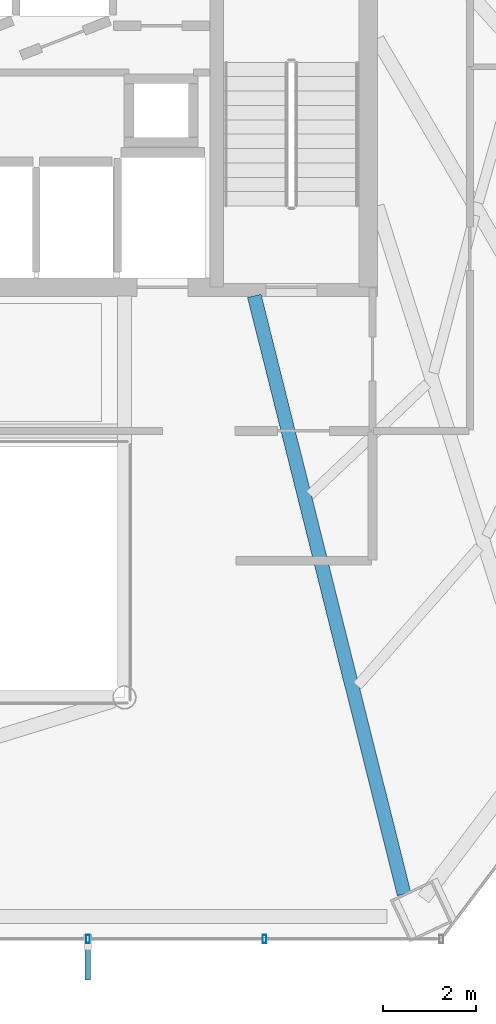
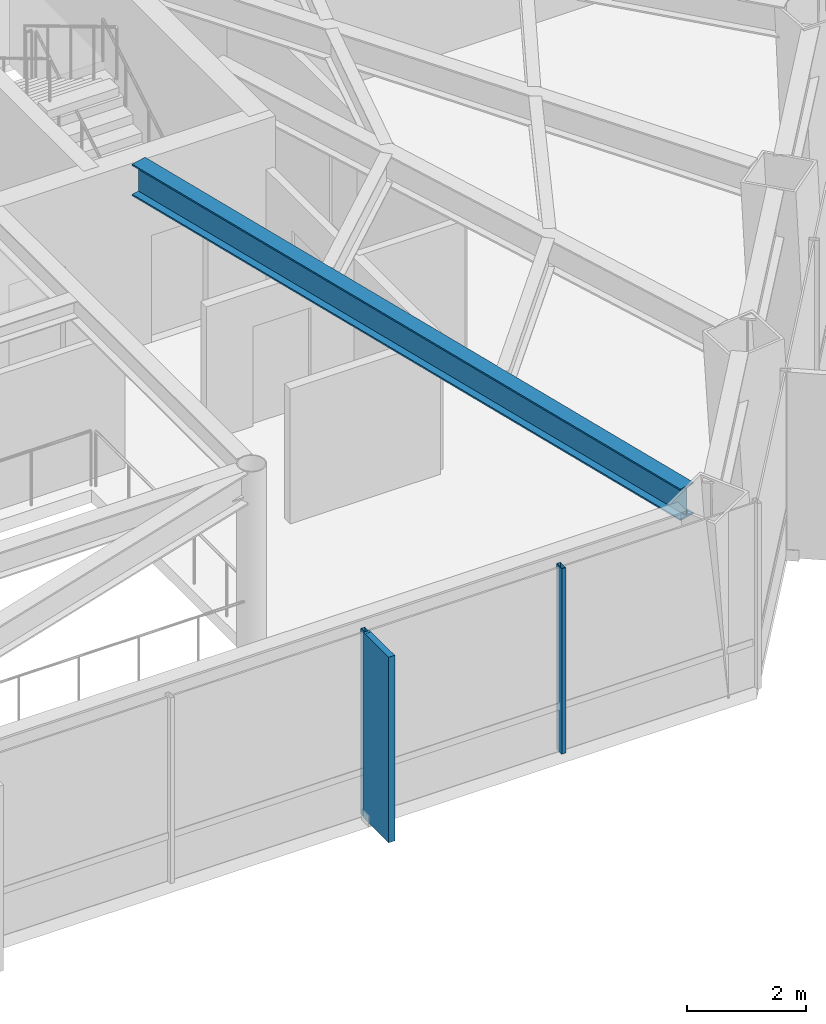
# One storey, part 9 of 26: 3 members, 1 beam, 1 element without a shape of its own.
"""IFC4 building model written with IfcOpenShell, lengths in metres."""

from ifc_helpers import new_model, si_unit, direction, frame, origin, origin_2d, place, context, subcontext, project, spatial, rectangle, hollow_rectangle, i_section, extrude, material, layer, layer_set, material_profile, profile_set, type_object, element, aggregate, save


model = new_model("IFC4")

# Units and contexts
model_context = context("Model", 3, precision=1e-05, world=origin(), true_north=direction((0.0, 1.0)))
body_context = subcontext(model_context, "Body", "Model", "MODEL_VIEW")
ifc_project = project(units=[si_unit("LENGTHUNIT", "METRE"), si_unit("AREAUNIT", "SQUARE_METRE"), si_unit("VOLUMEUNIT", "CUBIC_METRE"), si_unit("PLANEANGLEUNIT", "RADIAN"), si_unit("MASSUNIT", "GRAM", prefix="KILO")], contexts=[model_context])

# Site, building, storey
site_placement = place(None, origin())
site = spatial("IfcSite", under=ifc_project, at=site_placement, CompositionType="ELEMENT")
building_placement = place(site_placement, origin())
building = spatial("IfcBuilding", under=site, at=building_placement, Name="Zarrinselat Tower", CompositionType="ELEMENT")
storey_placement = place(building_placement, frame((0.0, 0.0, 35.699951171875)))
storey = spatial("IfcBuildingStorey", under=building, at=storey_placement, Name="L08", CompositionType="ELEMENT", Elevation=35.699951171875)

# Beam
ifc_material_1 = material(Name="Steel S355J2", Category="steel")
ifc_material_profile_1 = material_profile(ifc_material_1, i_section(OverallWidth=0.300048828125, OverallDepth=0.64990234375, WebThickness=0.01611328125, FlangeThickness=0.031005859375, at=origin_2d()), Name="HEB 650")
ifc_profile_set_1 = profile_set([ifc_material_profile_1], Name="Steel S355J2")
beam_type = type_object("IfcBeamType", Name="BM-HEB650", PredefinedType="BEAM", material=ifc_profile_set_1)
beam_placement = place(storey_placement, frame((45.800048828125, 33.06005859375, 3.4951171875), z_axis=(0.242868228579, -0.970059288676, 0.0), x_axis=(0.970059288676, 0.242868228579, 0.0)))
element("IfcBeam", 1, at=beam_placement, inside=storey, type_object=beam_type, Name="L08 Radial Primary Girder RG11", PredefinedType="BEAM", context=body_context, shape_type="SweptSolid", body=[
    extrude(i_section(OverallWidth=0.300048828125, OverallDepth=0.64990234375, WebThickness=0.01611328125, FlangeThickness=0.031005859375, at=origin_2d()), origin(), (0.0, 0.0, 1.0), 13.29833984375),
])

# Curtain wall, members
ifc_material_2 = material(Name="Extruded Aluminium Alloy EN AW-6063 T6", Category="aluminium")
ifc_layer = layer(ifc_material_2, 0.18505859375)
ifc_layer_set = layer_set([ifc_layer], Name="Extruded Aluminium Alloy EN AW-6063 T6")
curtain_wall_type = type_object("IfcCurtainWallType", Name="CWS-OFF", PredefinedType="NOTDEFINED", material=ifc_layer_set)
curtain_wall_placement = place(storey_placement, origin())
curtain_wall = element("IfcCurtainWall", 2, at=curtain_wall_placement, inside=storey, type_object=curtain_wall_type, Name="L08 Unitised Curtain Wall CW-L08-E04", PredefinedType="NOTDEFINED")
ifc_material_3 = material(Name="Extruded Aluminium Alloy EN AW-6063 T6", Category="aluminium")
ifc_material_profile_2 = material_profile(ifc_material_3, hollow_rectangle(XDim=0.080078125, YDim=0.179931640625, WallThickness=0.0048828125, at=origin_2d()), Name="RHS 180x80x5")
ifc_profile_set_2 = profile_set([ifc_material_profile_2], Name="Extruded Aluminium Alloy EN AW-6063 T6")
member_type_1 = type_object("IfcMemberType", Name="MEM-CW-MUL", PredefinedType="MULLION", material=ifc_profile_set_2)
member_1_placement = place(storey_placement, frame((42.21044921875, 19.1904296875, 0.0), z_axis=(0.0, 0.0, 1.0), x_axis=(1.0, 0.0, 0.0)))
member_1 = element("IfcMember", 3, at=member_1_placement, type_object=member_type_1, Name="CW-L08-E04 Mullion 5", PredefinedType="MULLION", context=body_context, shape_type="SweptSolid", body=[
    extrude(hollow_rectangle(XDim=0.080078125, YDim=0.179931640625, WallThickness=0.0048828125, at=origin_2d()), origin(), (0.0, 0.0, 1.0), 3.820068359375),
])
member_2_placement = place(storey_placement, frame((46.02099609375, 19.1904296875, 0.0), z_axis=(0.0, 0.0, 1.0), x_axis=(1.0, 0.0, 0.0)))
member_2 = element("IfcMember", 4, at=member_2_placement, type_object=member_type_1, Name="CW-L08-E04 Mullion 6", PredefinedType="MULLION", context=body_context, shape_type="SweptSolid", body=[
    extrude(hollow_rectangle(XDim=0.080078125, YDim=0.179931640625, WallThickness=0.0048828125, at=origin_2d()), origin(), (0.0, 0.0, 1.0), 3.820068359375),
])
ifc_material_4 = material(Name="Honed Cream Travertine Stone", Category="masonry")
ifc_material_profile_3 = material_profile(ifc_material_4, rectangle(XDim=0.1201171875, YDim=0.85009765625, at=origin_2d()), Name="FIN 850x120")
ifc_profile_set_3 = profile_set([ifc_material_profile_3], Name="Honed Cream Travertine Stone")
member_type_2 = type_object("IfcMemberType", Name="MEM-STONE-FIN", PredefinedType="USERDEFINED", material=ifc_profile_set_3)
member_3_placement = place(storey_placement, frame((42.21044921875, 18.73046875, 0.0), z_axis=(0.0, 0.0, 1.0), x_axis=(-1.0, 0.0, 0.0)))
member_3 = element("IfcMember", 5, at=member_3_placement, type_object=member_type_2, Name="L08 Stone Shading Fin CW-L08-E04-05", ObjectType="FIN", PredefinedType="USERDEFINED", context=body_context, shape_type="SweptSolid", body=[
    extrude(rectangle(XDim=0.1201171875, YDim=0.85009765625, at=origin_2d()), origin(), (0.0, 0.0, 1.0), 3.820068359375),
])
aggregate(curtain_wall, [member_1, member_3, member_2])

save(model, "model.ifc")
